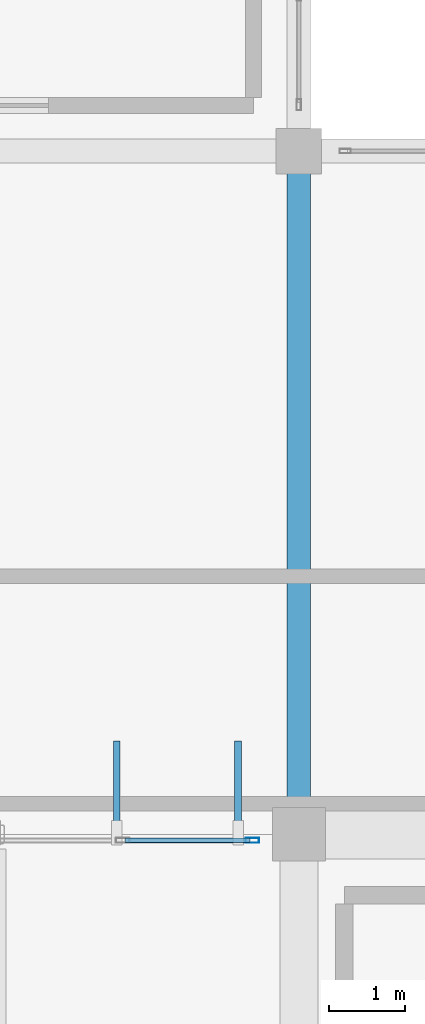
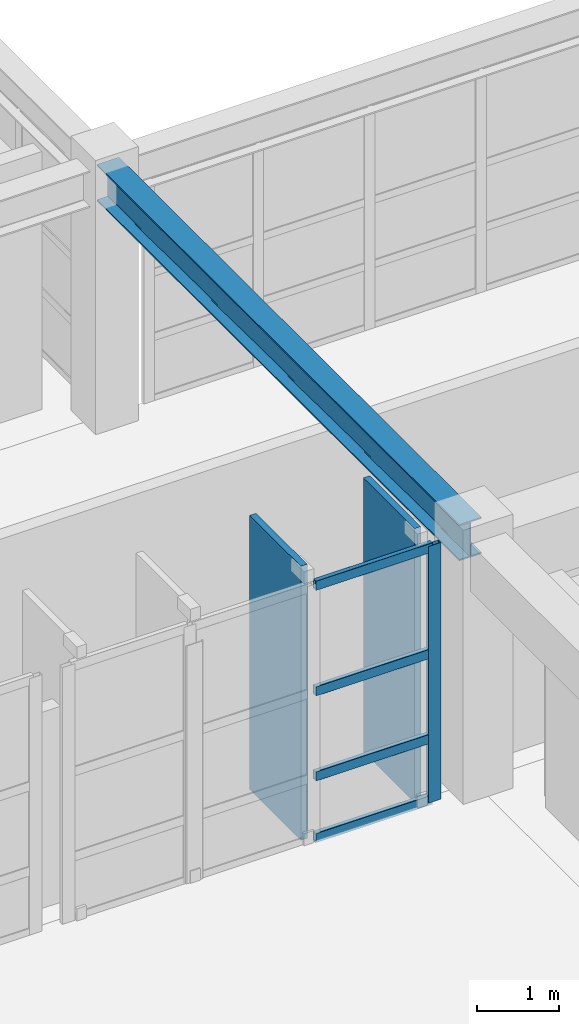
# One storey, part 49 of 110: 7 members, 1 beam, 1 element without a shape of its own.
"""IFC4 building model written with IfcOpenShell, lengths in metres."""

from ifc_helpers import new_model, si_unit, direction, frame, origin, origin_2d, place, context, subcontext, project, spatial, rectangle, hollow_rectangle, i_section, extrude, material, material_profile, profile_set, type_object, element, aggregate, save


model = new_model("IFC4")

# Units and contexts
model_context = context("Model", 3, precision=1e-05, world=origin(), true_north=direction((0.0, 1.0)))
body_context = subcontext(model_context, "Body", "Model", "MODEL_VIEW")
ifc_project = project(units=[si_unit("LENGTHUNIT", "METRE"), si_unit("AREAUNIT", "SQUARE_METRE"), si_unit("VOLUMEUNIT", "CUBIC_METRE"), si_unit("PLANEANGLEUNIT", "RADIAN"), si_unit("MASSUNIT", "GRAM", prefix="KILO")], contexts=[model_context])

# Site, building, storey
site_placement = place(None, origin())
site = spatial("IfcSite", under=ifc_project, at=site_placement, CompositionType="ELEMENT")
building_placement = place(site_placement, origin())
building = spatial("IfcBuilding", under=site, at=building_placement, Name="Miravela Opera House", CompositionType="ELEMENT")
storey_placement = place(building_placement, frame((0.0, 0.0, 13.60009765625)))
storey = spatial("IfcBuildingStorey", under=building, at=storey_placement, Name="L03", CompositionType="ELEMENT", Elevation=13.60009765625)

# Curtain wall, members
ifc_material_1 = material(Name="Anodised architectural bronze aluminium 6063-T6", Category="aluminium")
curtain_wall_type = type_object("IfcCurtainWallType", Name="ARC-CW-02", PredefinedType="NOTDEFINED", material=ifc_material_1)
curtain_wall_placement = place(storey_placement, origin())
curtain_wall = element("IfcCurtainWall", 1, at=curtain_wall_placement, inside=storey, type_object=curtain_wall_type, Name="Auditorium North Wrapper Glazing CW-L03-025", PredefinedType="NOTDEFINED")
ifc_material_profile_1 = material_profile(ifc_material_1, hollow_rectangle(XDim=0.06494140625, YDim=0.179931640625, WallThickness=0.00390625, InnerFilletRadius=0.001953125, OuterFilletRadius=0.00390625, at=origin_2d()), Name="CWM-65X180")
ifc_profile_set_1 = profile_set([ifc_material_profile_1])
member_type_1 = type_object("IfcMemberType", Name="ARC-CWM-180", PredefinedType="MULLION", material=ifc_profile_set_1)
member_1_placement = place(storey_placement, frame((26.387451171875, 74.919921875, 0.0), z_axis=(0.0, 0.0, 1.0), x_axis=(0.0, 1.0, 0.0)))
member_1 = element("IfcMember", 2, at=member_1_placement, type_object=member_type_1, Name="CW-02 mullion 4", PredefinedType="MULLION", context=body_context, shape_type="SweptSolid", body=[
    extrude(hollow_rectangle(XDim=0.06494140625, YDim=0.179931640625, WallThickness=0.00390625, InnerFilletRadius=0.001953125, OuterFilletRadius=0.00390625, at=origin_2d()), origin(), (0.0, 0.0, 1.0), 3.81982421875),
])
ifc_material_profile_2 = material_profile(ifc_material_1, hollow_rectangle(XDim=0.06494140625, YDim=0.139892578125, WallThickness=0.00390625, InnerFilletRadius=0.001953125, OuterFilletRadius=0.00390625, at=origin_2d()), Name="CWT-65X140")
ifc_profile_set_2 = profile_set([ifc_material_profile_2])
member_type_2 = type_object("IfcMemberType", Name="ARC-CWT-140", PredefinedType="USERDEFINED", material=ifc_profile_set_2)
member_2_placement = place(storey_placement, frame((24.71240234375, 74.919921875, 0.032470703125), z_axis=(1.0, 0.0, 0.0), x_axis=(0.0, 1.0, 0.0)))
member_2 = element("IfcMember", 3, at=member_2_placement, type_object=member_type_2, Name="CW-02 transom 3.1", ObjectType="TRANSOM", PredefinedType="USERDEFINED", context=body_context, shape_type="SweptSolid", body=[
    extrude(hollow_rectangle(XDim=0.06494140625, YDim=0.139892578125, WallThickness=0.00390625, InnerFilletRadius=0.001953125, OuterFilletRadius=0.00390625, at=origin_2d()), origin(), (0.0, 0.0, 1.0), 1.642578125),
])
member_3_placement = place(storey_placement, frame((24.71240234375, 74.919921875, 0.949951171875), z_axis=(1.0, 0.0, 0.0), x_axis=(0.0, 1.0, 0.0)))
member_3 = element("IfcMember", 4, at=member_3_placement, type_object=member_type_2, Name="CW-02 transom 3.2", ObjectType="TRANSOM", PredefinedType="USERDEFINED", context=body_context, shape_type="SweptSolid", body=[
    extrude(hollow_rectangle(XDim=0.06494140625, YDim=0.139892578125, WallThickness=0.00390625, InnerFilletRadius=0.001953125, OuterFilletRadius=0.00390625, at=origin_2d()), origin(), (0.0, 0.0, 1.0), 1.642578125),
])
member_4_placement = place(storey_placement, frame((24.71240234375, 74.919921875, 2.215576171875), z_axis=(1.0, 0.0, 0.0), x_axis=(0.0, 1.0, 0.0)))
member_4 = element("IfcMember", 5, at=member_4_placement, type_object=member_type_2, Name="CW-02 transom 3.3", ObjectType="TRANSOM", PredefinedType="USERDEFINED", context=body_context, shape_type="SweptSolid", body=[
    extrude(hollow_rectangle(XDim=0.06494140625, YDim=0.139892578125, WallThickness=0.00390625, InnerFilletRadius=0.001953125, OuterFilletRadius=0.00390625, at=origin_2d()), origin(), (0.0, 0.0, 1.0), 1.642578125),
])
member_5_placement = place(storey_placement, frame((24.71240234375, 74.919921875, 3.787353515625), z_axis=(1.0, 0.0, 0.0), x_axis=(0.0, 1.0, 0.0)))
member_5 = element("IfcMember", 6, at=member_5_placement, type_object=member_type_2, Name="CW-02 transom 3.4", ObjectType="TRANSOM", PredefinedType="USERDEFINED", context=body_context, shape_type="SweptSolid", body=[
    extrude(hollow_rectangle(XDim=0.06494140625, YDim=0.139892578125, WallThickness=0.00390625, InnerFilletRadius=0.001953125, OuterFilletRadius=0.00390625, at=origin_2d()), origin(), (0.0, 0.0, 1.0), 1.642578125),
])
aggregate(curtain_wall, [member_1, member_2, member_3, member_4, member_5])

# Members
ifc_material_profile_3 = material_profile(ifc_material_1, rectangle(XDim=0.090087890625, YDim=1.25, at=origin_2d()), Name="FIN-1250X90")
ifc_profile_set_3 = profile_set([ifc_material_profile_3])
member_type_3 = type_object("IfcMemberType", Name="ARC-FIN-1250", PredefinedType="USERDEFINED", material=ifc_profile_set_3)
for number, where, z_axis, x_axis, name in (
    (7, (24.60009765625, 75.60498046875, 0.0), (0.0, 0.0, 1.0), (1.0, 0.0, 0.0), "Auditorium Wrapper Bronze Solar Fin FIN-L03-NORTH-0069"),
    (8, (26.199951171875, 75.60498046875, 0.0), (0.0, 0.0, 1.0), (1.0, 0.0, 0.0), "Auditorium Wrapper Bronze Solar Fin FIN-L03-NORTH-0071"),
):
    element("IfcMember", number, at=place(storey_placement, frame(where, z_axis=z_axis, x_axis=x_axis)), inside=storey, type_object=member_type_3, Name=name, ObjectType="FIN", PredefinedType="USERDEFINED", context=body_context, shape_type="SweptSolid", body=[
        extrude(rectangle(XDim=0.090087890625, YDim=1.25, at=origin_2d()), origin(), (0.0, 0.0, 1.0), 4.079833984375),
    ])

# Beam
ifc_material_2 = material(Name="Structural steel ASTM A992 Gr. 50", Category="steel")
ifc_material_profile_4 = material_profile(ifc_material_2, i_section(OverallWidth=0.31201171875, OverallDepth=0.54296875, WebThickness=0.0126953125, FlangeThickness=0.020263671875, FilletRadius=0.01611328125, at=origin_2d()), Name="W530X150")
ifc_profile_set_4 = profile_set([ifc_material_profile_4])
beam_type = type_object("IfcBeamType", Name="STR-BM-W530X150", PredefinedType="BEAM", material=ifc_profile_set_4)
beam_placement = place(storey_placement, frame((27.0, 75.080078125, 3.568359375), z_axis=(0.0, 1.0, 0.0), x_axis=(-1.0, 0.0, 0.0)))
element("IfcBeam", 9, at=beam_placement, inside=storey, type_object=beam_type, Name="Roof King-Post Transverse Tie Girder ROOF-V3-WEST-S T1.1", PredefinedType="BEAM", context=body_context, shape_type="SweptSolid", body=[
    extrude(i_section(OverallWidth=0.31201171875, OverallDepth=0.54296875, WebThickness=0.0126953125, FlangeThickness=0.020263671875, FilletRadius=0.01611328125, at=origin_2d()), origin(), (0.0, 0.0, 1.0), 8.83984375),
])

save(model, "model.ifc")
